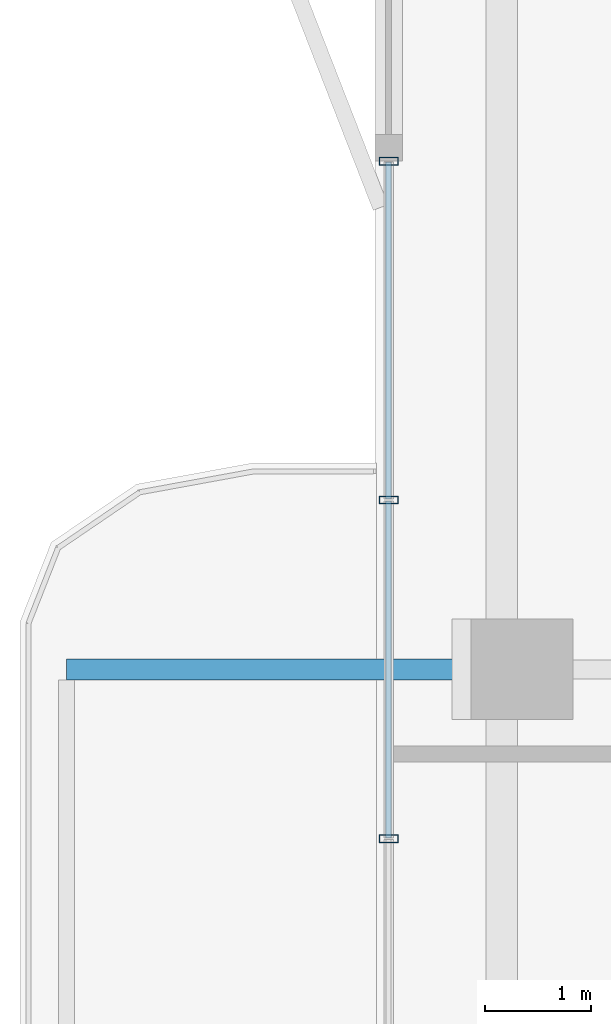
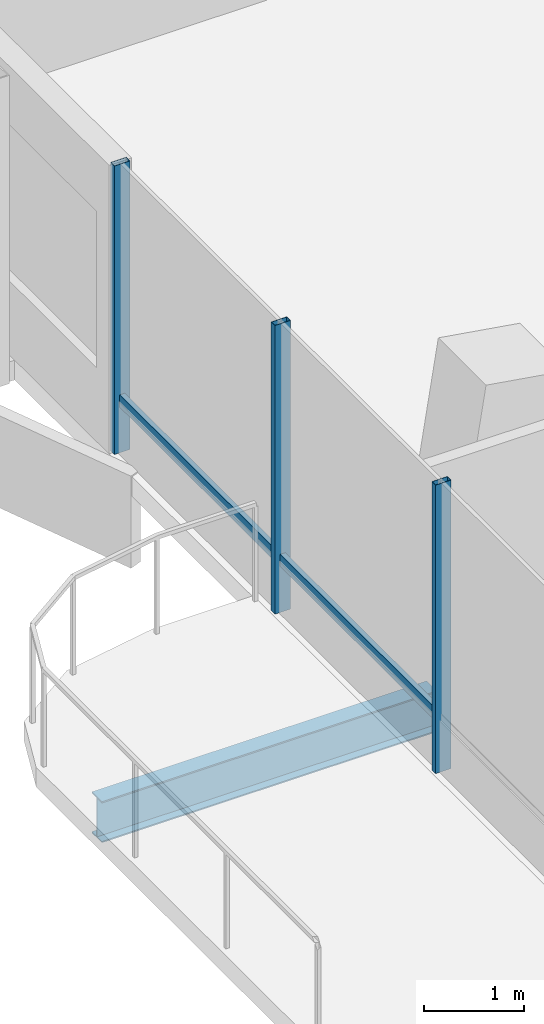
# One storey, part 7 of 20: 5 members, 1 beam, 1 element without a shape of its own.
"""IFC4 building model written with IfcOpenShell, lengths in metres."""

from ifc_helpers import new_model, si_unit, direction, frame, origin, origin_2d, place, context, subcontext, project, spatial, hollow_rectangle, i_section, extrude, material, layer, layer_set, material_profile, profile_set, type_object, element, aggregate, save


model = new_model("IFC4")

# Units and contexts
model_context = context("Model", 3, precision=1e-05, world=origin(), true_north=direction((0.0, 1.0)))
body_context = subcontext(model_context, "Body", "Model", "MODEL_VIEW")
ifc_project = project(units=[si_unit("LENGTHUNIT", "METRE"), si_unit("AREAUNIT", "SQUARE_METRE"), si_unit("VOLUMEUNIT", "CUBIC_METRE"), si_unit("PLANEANGLEUNIT", "RADIAN"), si_unit("MASSUNIT", "GRAM", prefix="KILO")], contexts=[model_context])

# Site, building, storey
site_placement = place(None, origin())
site = spatial("IfcSite", under=ifc_project, at=site_placement, CompositionType="ELEMENT")
building_placement = place(site_placement, origin())
building = spatial("IfcBuilding", under=site, at=building_placement, Name="Belovzor Exchange Tower", CompositionType="ELEMENT")
storey_placement = place(building_placement, frame((0.0, 0.0, 329.25)))
storey = spatial("IfcBuildingStorey", under=building, at=storey_placement, Name="L82", CompositionType="ELEMENT", Elevation=329.25)

# Beam
ifc_material_1 = material(Name="Steel S355", Category="steel")
ifc_material_profile_1 = material_profile(ifc_material_1, i_section(OverallWidth=0.199951171875, OverallDepth=0.5, WebThickness=0.01025390625, FlangeThickness=0.01611328125, at=origin_2d()))
ifc_profile_set_1 = profile_set([ifc_material_profile_1], Name="Steel S355")
beam_type = type_object("IfcBeamType", Name="Planted Balcony Cantilever Beam IPE 500", PredefinedType="BEAM", material=ifc_profile_set_1)
beam_placement = place(storey_placement, frame((6.93896484375, 28.800048828125, -0.489990234375), z_axis=(-1.0, 0.0, 0.0), x_axis=(0.0, -1.0, 0.0)))
element("IfcBeam", 1, at=beam_placement, inside=storey, type_object=beam_type, Name="BC-500 Planted Balcony Cantilever Beam IPE 500", PredefinedType="BEAM", context=body_context, shape_type="SweptSolid", body=[
    extrude(i_section(OverallWidth=0.199951171875, OverallDepth=0.5, WebThickness=0.01025390625, FlangeThickness=0.01611328125, at=origin_2d()), origin(), (0.0, 0.0, 1.0), 3.849853515625),
])

# Curtain wall, members
ifc_material_2 = material(Name="Anodised Aluminium Framing", Category="aluminium")
ifc_layer = layer(ifc_material_2, 0.179931640625)
ifc_layer_set = layer_set([ifc_layer], Name="Anodised Aluminium Framing")
curtain_wall_type = type_object("IfcCurtainWallType", Name="Recessed Loggia Low-Iron Triple-Glazed Curtain Wall", PredefinedType="NOTDEFINED", material=ifc_layer_set)
curtain_wall_placement = place(storey_placement, origin())
curtain_wall = element("IfcCurtainWall", 2, at=curtain_wall_placement, inside=storey, type_object=curtain_wall_type, Name="CW3 Recessed Loggia Low-Iron Triple-Glazed Curtain Wall L82", PredefinedType="NOTDEFINED")
ifc_material_3 = material(Name="Steel S355", Category="steel")
ifc_material_profile_2 = material_profile(ifc_material_3, hollow_rectangle(XDim=0.074951171875, YDim=0.179931640625, WallThickness=0.0048828125, at=origin_2d()))
ifc_profile_set_2 = profile_set([ifc_material_profile_2], Name="Steel S355")
member_type_1 = type_object("IfcMemberType", Name="Thermally Broken Curtain Wall Mullion 180x75", PredefinedType="MULLION", material=ifc_profile_set_2)
member_1_placement = place(storey_placement, frame((6.1298828125, 27.199951171875, 0.0), z_axis=(0.0, 0.0, 1.0), x_axis=(0.0, 1.0, 0.0)))
member_1 = element("IfcMember", 3, at=member_1_placement, type_object=member_type_1, Name="CW-M180 Curtain Wall Mullion 2", PredefinedType="MULLION", context=body_context, shape_type="SweptSolid", body=[
    extrude(hollow_rectangle(XDim=0.074951171875, YDim=0.179931640625, WallThickness=0.0048828125, at=origin_2d()), origin(), (0.0, 0.0, 1.0), 3.510009765625),
])
member_2_placement = place(storey_placement, frame((6.1298828125, 30.39990234375, 0.0), z_axis=(0.0, 0.0, 1.0), x_axis=(0.0, 1.0, 0.0)))
member_2 = element("IfcMember", 4, at=member_2_placement, type_object=member_type_1, Name="CW-M180 Curtain Wall Mullion 3", PredefinedType="MULLION", context=body_context, shape_type="SweptSolid", body=[
    extrude(hollow_rectangle(XDim=0.074951171875, YDim=0.179931640625, WallThickness=0.0048828125, at=origin_2d()), origin(), (0.0, 0.0, 1.0), 3.510009765625),
])
member_3_placement = place(storey_placement, frame((6.1298828125, 33.60009765625, 0.0), z_axis=(0.0, 0.0, 1.0), x_axis=(0.0, 1.0, 0.0)))
member_3 = element("IfcMember", 5, at=member_3_placement, type_object=member_type_1, Name="CW-M180 Curtain Wall Mullion 4", PredefinedType="MULLION", context=body_context, shape_type="SweptSolid", body=[
    extrude(hollow_rectangle(XDim=0.074951171875, YDim=0.179931640625, WallThickness=0.0048828125, at=origin_2d()), origin(), (0.0, 0.0, 1.0), 3.510009765625),
])
ifc_material_4 = material(Name="Steel S355", Category="steel")
ifc_material_profile_3 = material_profile(ifc_material_4, hollow_rectangle(XDim=0.06005859375, YDim=0.14990234375, WallThickness=0.00390625, at=origin_2d()))
ifc_profile_set_3 = profile_set([ifc_material_profile_3], Name="Steel S355")
member_type_2 = type_object("IfcMemberType", Name="Thermally Broken Curtain Wall Transom 150x60", PredefinedType="USERDEFINED", material=ifc_profile_set_3)
member_4_placement = place(storey_placement, frame((6.1298828125, 27.2080078125, 0.632080078125), z_axis=(0.0, 1.0, 0.0), x_axis=(-1.0, 0.0, 0.0)))
member_4 = element("IfcMember", 6, at=member_4_placement, type_object=member_type_2, Name="CW-T150 Curtain Wall Transom 2", ObjectType="TRANSOM", PredefinedType="USERDEFINED", context=body_context, shape_type="SweptSolid", body=[
    extrude(hollow_rectangle(XDim=0.06005859375, YDim=0.14990234375, WallThickness=0.00390625, at=origin_2d()), origin(), (0.0, 0.0, 1.0), 3.18408203125),
])
member_5_placement = place(storey_placement, frame((6.1298828125, 30.407958984375, 0.632080078125), z_axis=(0.0, 1.0, 0.0), x_axis=(-1.0, 0.0, 0.0)))
member_5 = element("IfcMember", 7, at=member_5_placement, type_object=member_type_2, Name="CW-T150 Curtain Wall Transom 3", ObjectType="TRANSOM", PredefinedType="USERDEFINED", context=body_context, shape_type="SweptSolid", body=[
    extrude(hollow_rectangle(XDim=0.06005859375, YDim=0.14990234375, WallThickness=0.00390625, at=origin_2d()), origin(), (0.0, 0.0, 1.0), 3.18408203125),
])
aggregate(curtain_wall, [member_1, member_2, member_3, member_4, member_5])

save(model, "model.ifc")
